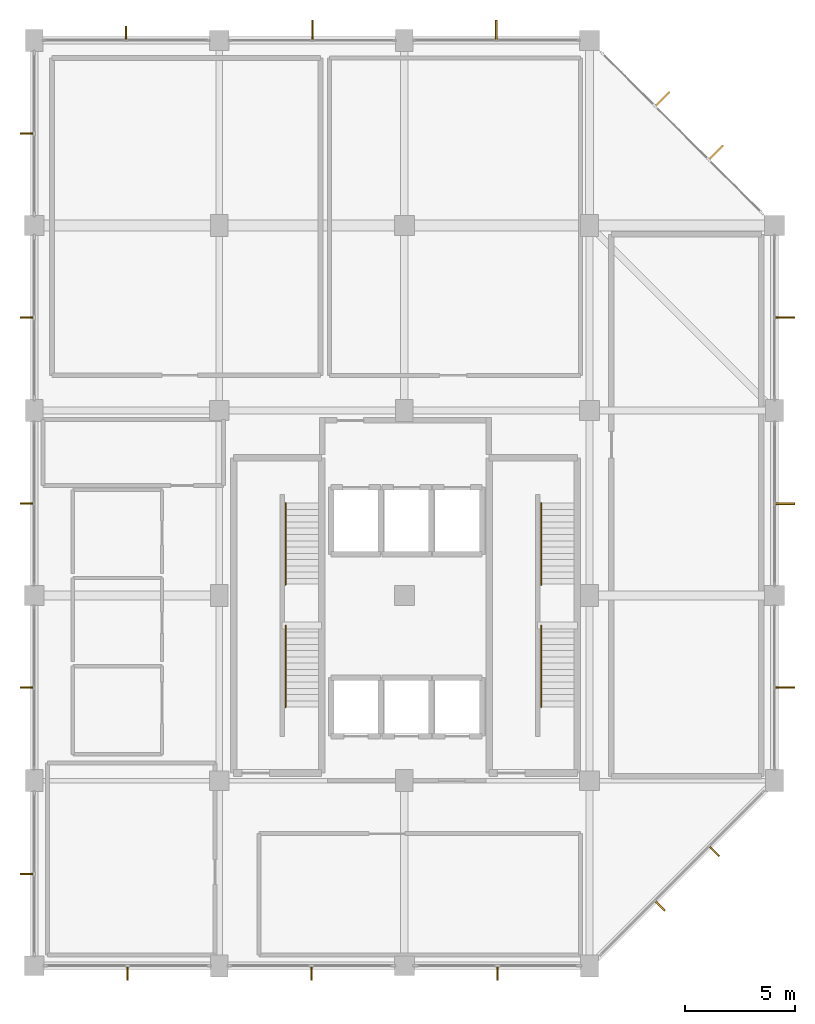
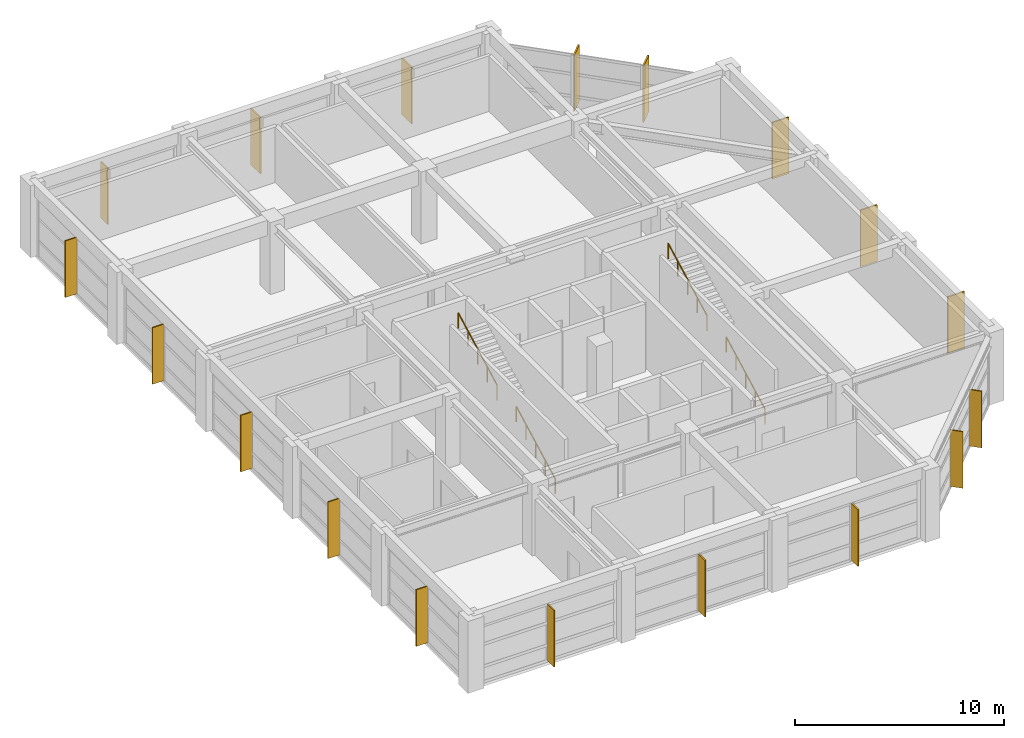
# One storey, part 12 of 12: 18 shading devices, 4 railings.
"""IFC4 building model written with IfcOpenShell, lengths in metres."""

import ifcopenshell
import ifcopenshell.guid

model = None  # the IFC model being written
_history = None  # IfcOwnerHistory: only IFC2X3 demands one
_inside = {}  # id of a spatial element -> (the spatial element, [elements in it])
_under = {}  # id of a project, library or spatial element -> (it, [spatial elements below it])
_declared = {}  # id of a project -> (the project, [libraries it declares])
_typed = {}  # id of a type object -> (the type object, [elements of that type])
_made_of = {}  # id of a material, layer set ... -> (it, [elements and type objects made of it])


def new_model(schema):
    """Start an empty IFC model of exactly this schema.

    Asked for "IFC4X3", IfcOpenShell would pick the latest addendum, in which some entities
    have other attributes; the version numbers below select the first issue.
    IFC2X3 requires an IfcOwnerHistory on every rooted entity: one is made here for all.
    """
    global model, _history
    if schema == "IFC4X3":
        model = ifcopenshell.file(schema_version=(4, 3, 0, 0))
    else:
        model = ifcopenshell.file(schema=schema)
    _inside.clear()
    _under.clear()
    _declared.clear()
    _typed.clear()
    _made_of.clear()
    _history = None
    if model.schema == "IFC2X3":
        org = make("IfcOrganization", Name="unknown")
        user = make(
            "IfcPersonAndOrganization",
            ThePerson=make("IfcPerson", FamilyName="unknown"),
            TheOrganization=org,
        )
        app = make(
            "IfcApplication",
            ApplicationDeveloper=org,
            Version="unknown",
            ApplicationFullName="unknown",
            ApplicationIdentifier="unknown",
        )
        _history = make(
            "IfcOwnerHistory",
            OwningUser=user,
            OwningApplication=app,
            ChangeAction="ADDED",
            CreationDate=0,
        )
    return model


def make(cls, **values):
    """One entity of the class cls with the attributes given. An attribute that is None is left unset."""
    return model.create_entity(
        cls, **{name: value for name, value in values.items() if value is not None}
    )


def rooted(cls, **values):
    """An entity with a GlobalId (a new one), such as an element, a storey or a relation."""
    return make(cls, GlobalId=ifcopenshell.guid.new(), OwnerHistory=_history, **values)


def si_unit(unit_type, name, prefix=None):
    """IfcSIUnit, for example si_unit("LENGTHUNIT", "METRE", prefix="MILLI")."""
    return make("IfcSIUnit", UnitType=unit_type, Prefix=prefix, Name=name)


def assignment(units):
    """IfcUnitAssignment: the units of a project."""
    return None if units is None else make("IfcUnitAssignment", Units=units)


def point(xyz):
    """IfcCartesianPoint."""
    return None if xyz is None else make("IfcCartesianPoint", Coordinates=xyz)


def direction(xyz):
    """IfcDirection."""
    return None if xyz is None else make("IfcDirection", DirectionRatios=xyz)


def frame(location, z_axis=None, x_axis=None):
    """IfcAxis2Placement3D, a coordinate frame: its origin and axes. An axis left out is left unset."""
    return make(
        "IfcAxis2Placement3D",
        Location=point(location),
        Axis=direction(z_axis),
        RefDirection=direction(x_axis),
    )


def frame_2d(location, x_axis=None):
    """IfcAxis2Placement2D, a coordinate frame in the plane: its origin and x axis."""
    return make(
        "IfcAxis2Placement2D", Location=point(location), RefDirection=direction(x_axis)
    )


def origin():
    """The frame at (0, 0, 0) with its axes left unset."""
    return frame((0.0, 0.0, 0.0))


def origin_2d():
    """The frame at (0, 0) in the plane with its x axis left unset."""
    return frame_2d((0.0, 0.0))


def place(relative_to, where):
    """IfcLocalPlacement: puts the frame where relative to a parent placement (None: the world)."""
    return make(
        "IfcLocalPlacement", PlacementRelTo=relative_to, RelativePlacement=where
    )


def context(
    kind, dimensions, precision=None, world=None, true_north=None, identifier=None
):
    """IfcGeometricRepresentationContext, for example the 3D "Model" context."""
    return make(
        "IfcGeometricRepresentationContext",
        ContextIdentifier=identifier,
        ContextType=kind,
        CoordinateSpaceDimension=dimensions,
        Precision=precision,
        WorldCoordinateSystem=world,
        TrueNorth=true_north,
    )


def subcontext(parent, identifier, kind, view, scale=None):
    """IfcGeometricRepresentationSubContext, for example "Body" below "Model"."""
    return make(
        "IfcGeometricRepresentationSubContext",
        ContextIdentifier=identifier,
        ContextType=kind,
        ParentContext=parent,
        TargetScale=scale,
        TargetView=view,
    )


def project(units=None, contexts=None):
    """IfcProject with its units and contexts."""
    return rooted(
        "IfcProject",
        Name="project",
        RepresentationContexts=contexts,
        UnitsInContext=assignment(units),
    )


def spatial(cls, under=None, at=None, **own):
    """A site, building, storey or space (cls), placed at a placement, below another one or the project."""
    s = rooted(cls, ObjectPlacement=at, **own)
    if under is not None:
        _under.setdefault(under.id(), (under, []))[1].append(s)
    return s


def profile(cls, at=None, kind="AREA", **sizes):
    """A parametric profile (cls). Its sizes go by their IFC names, for example OverallWidth=200.0."""
    return make(cls, ProfileType=kind, Position=at, **sizes)


def rectangle(**sizes):
    """IfcRectangleProfileDef."""
    return profile("IfcRectangleProfileDef", **sizes)


def circle(**sizes):
    """IfcCircleProfileDef."""
    return profile("IfcCircleProfileDef", **sizes)


def extrude(swept, where, along, depth):
    """IfcExtrudedAreaSolid: the profile swept, set in the frame where, extruded along a direction by depth."""
    return make(
        "IfcExtrudedAreaSolid",
        SweptArea=swept,
        Position=where,
        ExtrudedDirection=direction(along),
        Depth=depth,
    )


def shape(context_of_items, identifier, shape_type, items):
    """IfcShapeRepresentation: the items that make up one representation, for example the "Body"."""
    return make(
        "IfcShapeRepresentation",
        ContextOfItems=context_of_items,
        RepresentationIdentifier=identifier,
        RepresentationType=shape_type,
        Items=items,
    )


def material(Name=None, Category=None):
    """IfcMaterial."""
    return make("IfcMaterial", Name=Name, Category=Category)


def made_of(thing, what):
    """Note that an element or type object is made of a material, layer set ...; save() writes the relation."""
    if what is not None:
        _made_of.setdefault(what.id(), (what, []))[1].append(thing)
    return thing


def type_object(cls, material=None, **own):
    """A type object (cls), such as IfcWallType, which elements share."""
    return made_of(rooted(cls, **own), material)


def element(
    cls,
    number,
    at=None,
    inside=None,
    cuts=None,
    type_object=None,
    material=None,
    context=None,
    identifier="Body",
    shape_type=None,
    held_by="IfcProductDefinitionShape",
    body=None,
    shapes=None,
    **own,
):
    """One element of the class cls, such as IfcWall. Its Tag is "e" and its number.

    at: its placement. inside: the storey or other place that contains it. cuts: it is an
    opening in that element (IfcRelVoidsElement). A single representation is given by context,
    identifier, shape_type and body (its items); several are given by shapes. held_by: the class
    of the entity that holds the representations. save() writes the other relations.
    """
    e = rooted(cls, Tag="e%d" % number, ObjectPlacement=at, **own)
    if body is not None:
        shapes = [shape(context, identifier, shape_type, body)]
    if shapes is not None:
        e.Representation = make(held_by, Representations=shapes)
    if inside is not None:
        _inside.setdefault(inside.id(), (inside, []))[1].append(e)
    if cuts is not None:
        rooted(
            "IfcRelVoidsElement", RelatingBuildingElement=cuts, RelatedOpeningElement=e
        )
    if type_object is not None:
        _typed.setdefault(type_object.id(), (type_object, []))[1].append(e)
    return made_of(e, material)


def aggregate(whole, parts):
    """IfcRelAggregates: a whole, such as a stair, and the parts it consists of."""
    return rooted("IfcRelAggregates", RelatingObject=whole, RelatedObjects=parts)


def save(model, path):
    """Write the relations noted so far, then the file.

    IfcRelAggregates (storeys below a building ...), IfcRelContainedInSpatialStructure (elements
    in a storey), IfcRelDefinesByType, IfcRelAssociatesMaterial and IfcRelDeclares: one each for
    every whole, place, type object, material and project.
    """
    for whole, parts in _under.values():
        aggregate(whole, parts)
    for where, things in _inside.values():
        rooted(
            "IfcRelContainedInSpatialStructure",
            RelatedElements=things,
            RelatingStructure=where,
        )
    for kind, things in _typed.values():
        rooted("IfcRelDefinesByType", RelatedObjects=things, RelatingType=kind)
    for what, things in _made_of.values():
        rooted("IfcRelAssociatesMaterial", RelatedObjects=things, RelatingMaterial=what)
    for by, libraries in _declared.values():
        rooted("IfcRelDeclares", RelatingContext=by, RelatedDefinitions=libraries)
    model.write(path)


model = new_model("IFC4")

# Units and contexts
model_context = context("Model", 3, precision=1e-05, world=origin(), true_north=direction((0.0, 1.0)))
body_context = subcontext(model_context, "Body", "Model", "MODEL_VIEW")
ifc_project = project(units=[si_unit("LENGTHUNIT", "METRE"), si_unit("AREAUNIT", "SQUARE_METRE"), si_unit("VOLUMEUNIT", "CUBIC_METRE"), si_unit("PLANEANGLEUNIT", "RADIAN"), si_unit("MASSUNIT", "GRAM", prefix="KILO")], contexts=[model_context])

# Site, building, storey
site_placement = place(None, origin())
site = spatial("IfcSite", under=ifc_project, at=site_placement, CompositionType="ELEMENT")
building_placement = place(site_placement, origin())
building = spatial("IfcBuilding", under=site, at=building_placement, Name="Xuanlan Plaza Opera House", CompositionType="ELEMENT")
storey_placement = place(building_placement, frame((0.0, 0.0, 65.699951171875)))
storey = spatial("IfcBuildingStorey", under=building, at=storey_placement, Name="L15", CompositionType="ELEMENT", Elevation=65.699951171875)

# Shading devices
ifc_material_1 = material(Name="Anodised Aluminium 6063-T6", Category="aluminium")
shading_device_type_1 = type_object("IfcShadingDeviceType", Name="ENV-SHD-BRS01", PredefinedType="JALOUSIE", material=ifc_material_1)
for number, where, z_axis, x_axis, name in (
    (1, (130.22509765625, 41.675048828125, 0.0400390625), (0.0, 0.0, 1.0), (0.0, -1.0, 0.0), "Parametric Sunshade Fin L15-0457"),
    (2, (138.574951171875, 41.675048828125, 0.0400390625), (0.0, 0.0, 1.0), (0.0, -1.0, 0.0), "Parametric Sunshade Fin L15-0458"),
    (3, (147.02490234375, 41.675048828125, 0.0400390625), (0.0, 0.0, 1.0), (0.0, -1.0, 0.0), "Parametric Sunshade Fin L15-0459"),
    (4, (154.39599609375, 44.736572265625, 0.0400390625), (0.0, 0.0, 1.0), (0.707106781187, -0.707106781187, 0.0), "Parametric Sunshade Fin L15-0460"),
    (5, (156.863525390625, 47.203857421875, 0.0400390625), (0.0, 0.0, 1.0), (0.707106781187, -0.707106781187, 0.0), "Parametric Sunshade Fin L15-0461"),
    (6, (130.175048828125, 84.324951171875, 0.0400390625), (0.0, 0.0, 1.0), (0.0, 1.0, 0.0), "Parametric Sunshade Fin L15-0469"),
    (7, (125.675048828125, 79.77490234375, 0.0400390625), (0.0, 0.0, 1.0), (-1.0, 0.0, 0.0), "Parametric Sunshade Fin L15-0470"),
    (8, (125.675048828125, 71.425048828125, 0.0400390625), (0.0, 0.0, 1.0), (-1.0, 0.0, 0.0), "Parametric Sunshade Fin L15-0471"),
    (9, (125.675048828125, 62.97509765625, 0.0400390625), (0.0, 0.0, 1.0), (-1.0, 0.0, 0.0), "Parametric Sunshade Fin L15-0472"),
    (10, (125.675048828125, 54.625, 0.0400390625), (0.0, 0.0, 1.0), (-1.0, 0.0, 0.0), "Parametric Sunshade Fin L15-0473"),
    (11, (125.675048828125, 46.175048828125, 0.0400390625), (0.0, 0.0, 1.0), (-1.0, 0.0, 0.0), "Parametric Sunshade Fin L15-0474"),
):
    element("IfcShadingDevice", number, at=place(storey_placement, frame(where, z_axis=z_axis, x_axis=x_axis)), inside=storey, type_object=shading_device_type_1, Name=name, PredefinedType="JALOUSIE", context=body_context, shape_type="SweptSolid", body=[
        extrude(rectangle(XDim=0.639892578125, YDim=0.070068359375, at=origin_2d()), origin(), (0.0, 0.0, 1.0), 3.300048828125),
    ])
shading_device_type_2 = type_object("IfcShadingDeviceType", Name="ENV-SHD-BRS02", PredefinedType="JALOUSIE", material=ifc_material_1)
for number, where, z_axis, x_axis, name in (
    (12, (160.06494140625, 54.625, 0.0400390625), (0.0, 0.0, 1.0), (1.0, 0.0, 0.0), "Parametric Sunshade Fin L15-0462"),
    (13, (160.06494140625, 62.97509765625, 0.0400390625), (0.0, 0.0, 1.0), (1.0, 0.0, 0.0), "Parametric Sunshade Fin L15-0463"),
    (14, (160.06494140625, 71.425048828125, 0.0400390625), (0.0, 0.0, 1.0), (1.0, 0.0, 0.0), "Parametric Sunshade Fin L15-0464"),
    (15, (156.94580078125, 78.911865234375, 0.0400390625), (0.0, 0.0, 1.0), (0.707106781187, 0.707106781187, 0.0), "Parametric Sunshade Fin L15-0465"),
    (16, (154.51171875, 81.345703125, 0.0400390625), (0.0, 0.0, 1.0), (0.707106781187, 0.707106781187, 0.0), "Parametric Sunshade Fin L15-0466"),
    (17, (146.97509765625, 84.465087890625, 0.0400390625), (0.0, 0.0, 1.0), (0.0, 1.0, 0.0), "Parametric Sunshade Fin L15-0467"),
    (18, (138.625, 84.465087890625, 0.0400390625), (0.0, 0.0, 1.0), (0.0, 1.0, 0.0), "Parametric Sunshade Fin L15-0468"),
):
    element("IfcShadingDevice", number, at=place(storey_placement, frame(where, z_axis=z_axis, x_axis=x_axis)), inside=storey, type_object=shading_device_type_2, Name=name, PredefinedType="JALOUSIE", context=body_context, shape_type="SweptSolid", body=[
        extrude(rectangle(XDim=0.919921875, YDim=0.080078125, at=origin_2d()), origin(), (0.0, 0.0, 1.0), 3.300048828125),
    ])

# Railings
ifc_material_2 = material(Name="Stainless Steel S30408", Category="steel")
railing_type = type_object("IfcRailingType", Name="INT-RL-HR01", PredefinedType="HANDRAIL", material=ifc_material_2)
for number, where, name in (
    (19, (137.409912109375, 53.739990234375, 0.150146484375), "Stair Handrail ST-T1 L15 Flight 1"),
    (20, (137.409912109375, 59.294921875, 2.25), "Stair Handrail ST-T1 L15 Flight 2"),
    (21, (149.010009765625, 53.739990234375, 0.150146484375), "Stair Handrail ST-T2 L15 Flight 1"),
    (22, (149.010009765625, 59.294921875, 2.25), "Stair Handrail ST-T2 L15 Flight 2"),
):
    element("IfcRailing", number, at=place(storey_placement, frame(where)), inside=storey, type_object=railing_type, Name=name, PredefinedType="HANDRAIL", context=body_context, shape_type="SweptSolid", body=[
        extrude(circle(Radius=0.02392578125, at=origin_2d()), frame((0.0, 0.0, 0.8759765625), z_axis=(0.0, 0.88492707638, 0.465729609848), x_axis=(-1.0, 0.0, 0.0)), (0.0, 0.0, 1.0), 4.186767578125),
        extrude(circle(Radius=0.02099609375, at=origin_2d()), origin(), (0.0, 0.0, 1.0), 0.851806640625),
        extrude(circle(Radius=0.02099609375, at=origin_2d()), frame((0.0, 0.92626953125, 0.487548828125)), (0.0, 0.0, 1.0), 0.851806640625),
        extrude(circle(Radius=0.02099609375, at=origin_2d()), frame((0.0, 1.8525390625, 0.97509765625)), (0.0, 0.0, 1.0), 0.851806640625),
        extrude(circle(Radius=0.02099609375, at=origin_2d()), frame((0.0, 2.77880859375, 1.46240234375)), (0.0, 0.0, 1.0), 0.851806640625),
        extrude(circle(Radius=0.02099609375, at=origin_2d()), frame((0.0, 3.705078125, 1.949951171875)), (0.0, 0.0, 1.0), 0.851806640625),
    ])

save(model, "model.ifc")
